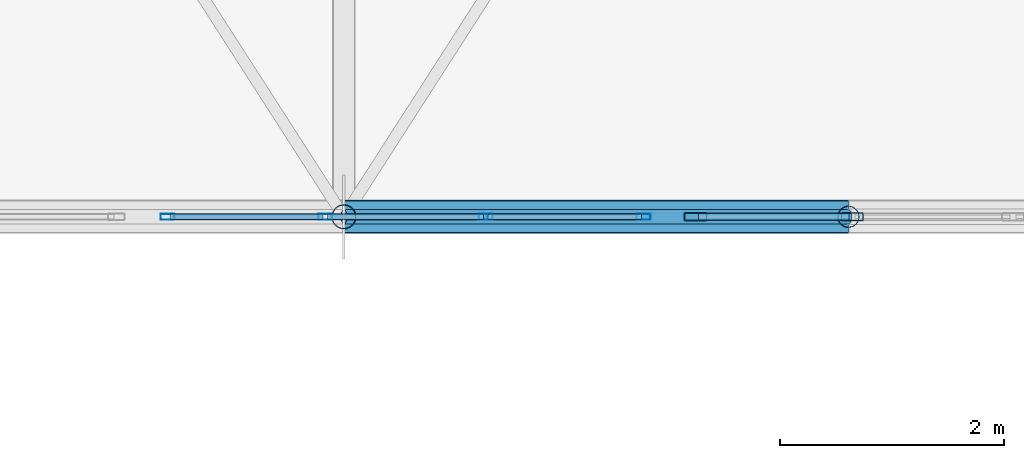
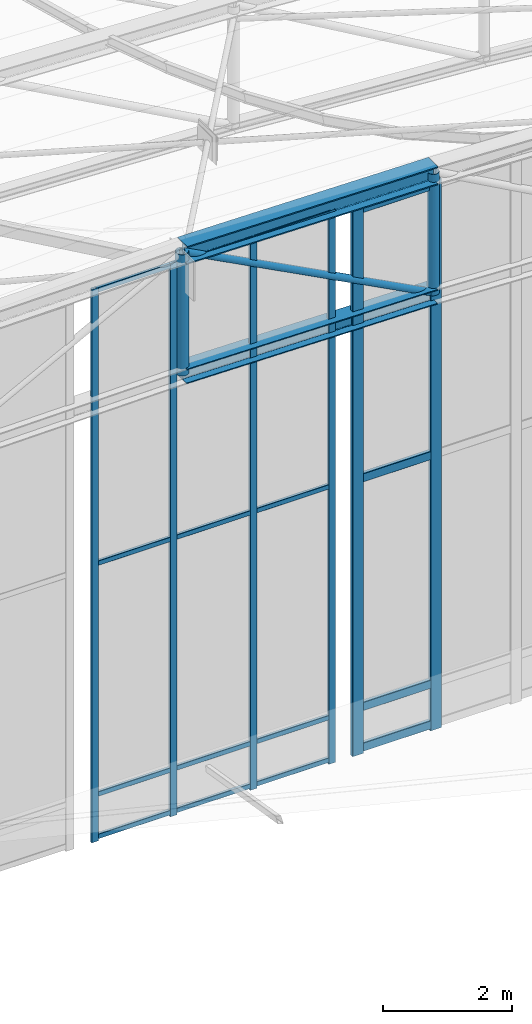
# One storey, part 147 of 262: 27 members, 2 elements without a shape of their own.
"""IFC4 building model written with IfcOpenShell, lengths in metres."""

from ifc_helpers import new_model, si_unit, derived_unit, direction, frame, origin, origin_2d, place, context, subcontext, project, spatial, hollow_rectangle, hollow_circle, i_section, extrude, material, layer, layer_set, material_profile, profile_set, type_object, element, aggregate, save


model = new_model("IFC4")

# Units and contexts
model_context = context("Model", 3, precision=1e-05, world=origin(), true_north=direction((0.0, 1.0)))
body_context = subcontext(model_context, "Body", "Model", "MODEL_VIEW")
ifc_project = project(units=[si_unit("LENGTHUNIT", "METRE"), si_unit("AREAUNIT", "SQUARE_METRE"), si_unit("VOLUMEUNIT", "CUBIC_METRE"), si_unit("PLANEANGLEUNIT", "RADIAN"), si_unit("MASSUNIT", "GRAM", prefix="KILO"), derived_unit("THERMALTRANSMITTANCEUNIT", [(si_unit("POWERUNIT", "WATT"), 1), (si_unit("LENGTHUNIT", "METRE"), -2), (si_unit("THERMODYNAMICTEMPERATUREUNIT", "KELVIN"), -1)])], contexts=[model_context])

# Site, building, storey
site_placement = place(None, origin())
site = spatial("IfcSite", under=ifc_project, at=site_placement, CompositionType="ELEMENT")
building_placement = place(site_placement, origin())
building = spatial("IfcBuilding", under=site, at=building_placement, Name="Almenara Railside Exhibition Hall", CompositionType="ELEMENT")
storey_placement = place(building_placement, frame((0.0, 0.0, 21.699951171875)))
storey = spatial("IfcBuildingStorey", under=building, at=storey_placement, Name="RF", CompositionType="ELEMENT", Elevation=21.699951171875)

# Members
ifc_material_1 = material(Name="Structural steel S355JR", Category="steel")
ifc_material_profile_1 = material_profile(ifc_material_1, i_section(OverallWidth=0.280029296875, OverallDepth=0.280029296875, WebThickness=0.010498046875, FlangeThickness=0.01806640625, FilletRadius=0.02392578125, at=origin_2d()), Name="HEB 280")
ifc_profile_set_1 = profile_set([ifc_material_profile_1], Name="Structural steel S355JR")
member_type_1 = type_object("IfcMemberType", Name="Arched Gable Bottom Chord HEB 280 S355JR", PredefinedType="CHORD", material=ifc_profile_set_1)
member_1_placement = place(storey_placement, frame((165.0, 34.0, 1.60009765625), z_axis=(0.999907293085, 0.0, -0.01361635908), x_axis=(0.0, 1.0, 0.0)))
element("IfcMember", 1, at=member_1_placement, inside=storey, type_object=member_type_1, Name="MEM-BC-V2-00-06", PredefinedType="CHORD", context=body_context, shape_type="SweptSolid", body=[
    extrude(i_section(OverallWidth=0.280029296875, OverallDepth=0.280029296875, WebThickness=0.010498046875, FlangeThickness=0.01806640625, FilletRadius=0.02392578125, at=origin_2d()), origin(), (0.0, 0.0, 1.0), 4.50048828125),
])
ifc_material_profile_2 = material_profile(ifc_material_1, i_section(OverallWidth=0.300048828125, OverallDepth=0.340087890625, WebThickness=0.011962890625, FlangeThickness=0.021484375, FilletRadius=0.027099609375, at=origin_2d()), Name="HEB 340")
ifc_profile_set_2 = profile_set([ifc_material_profile_2], Name="Structural steel S355JR")
member_type_2 = type_object("IfcMemberType", Name="Arched Gable Top Chord HEB 340 S355JR", PredefinedType="CHORD", material=ifc_profile_set_2)
member_2_placement = place(storey_placement, frame((165.0, 34.0, 3.900146484375), z_axis=(0.999907293085, 0.0, -0.01361635908), x_axis=(0.0, 1.0, 0.0)))
element("IfcMember", 2, at=member_2_placement, inside=storey, type_object=member_type_2, Name="MEM-TC-V2-00-06", PredefinedType="CHORD", context=body_context, shape_type="SweptSolid", body=[
    extrude(i_section(OverallWidth=0.300048828125, OverallDepth=0.340087890625, WebThickness=0.011962890625, FlangeThickness=0.021484375, FilletRadius=0.027099609375, at=origin_2d()), origin(), (0.0, 0.0, 1.0), 4.50048828125),
])

# Curtain wall, members
ifc_material_2 = material(Name="Bronze-anodised aluminium and low-E double glazing", Category="aluminium")
ifc_layer = layer(ifc_material_2, 0.179931640625, Name="Bronze-anodised aluminium and low-E double glazing")
ifc_layer_set = layer_set([ifc_layer], Name="Bronze-anodised aluminium and low-E double glazing")
curtain_wall_type = type_object("IfcCurtainWallType", Name="Scroll Gable Tall Curtain Wall 3800x5400", PredefinedType="NOTDEFINED", material=ifc_layer_set)
curtain_wall_1_placement = place(storey_placement, origin())
curtain_wall_1 = element("IfcCurtainWall", 3, at=curtain_wall_1_placement, inside=storey, type_object=curtain_wall_type, Name="Curtain wall CW-G1-219", PredefinedType="NOTDEFINED")
ifc_material_3 = material(Name="Bronze-anodised aluminium", Category="aluminium")
ifc_material_profile_3 = material_profile(ifc_material_3, hollow_rectangle(XDim=0.054931640625, YDim=0.125, WallThickness=0.0029296875, InnerFilletRadius=0.0029296875, OuterFilletRadius=0.006103515625, at=origin_2d()), Name="ALU-MUL 55x125x3")
ifc_profile_set_3 = profile_set([ifc_material_profile_3], Name="Bronze-anodised aluminium")
member_type_3 = type_object("IfcMemberType", Name="Curtain Wall Mullion 55x125x3", PredefinedType="MULLION", material=ifc_profile_set_3)
member_3_placement = place(storey_placement, frame((163.427490234375, 34.0, -6.73486328125), z_axis=(0.0, 0.0, 1.0), x_axis=(0.0, 1.0, 0.0)))
member_3 = element("IfcMember", 4, at=member_3_placement, type_object=member_type_3, Name="CW-G1-219 mullion 1", PredefinedType="MULLION", context=body_context, shape_type="SweptSolid", body=[
    extrude(hollow_rectangle(XDim=0.054931640625, YDim=0.125, WallThickness=0.0029296875, InnerFilletRadius=0.0029296875, OuterFilletRadius=0.006103515625, at=origin_2d()), origin(), (0.0, 0.0, 1.0), 10.48486328125),
])
member_4_placement = place(storey_placement, frame((164.833251953125, 34.0, -6.73486328125), z_axis=(0.0, 0.0, 1.0), x_axis=(0.0, 1.0, 0.0)))
member_4 = element("IfcMember", 5, at=member_4_placement, type_object=member_type_3, Name="CW-G1-219 mullion 2", PredefinedType="MULLION", context=body_context, shape_type="SweptSolid", body=[
    extrude(hollow_rectangle(XDim=0.054931640625, YDim=0.125, WallThickness=0.0029296875, InnerFilletRadius=0.0029296875, OuterFilletRadius=0.006103515625, at=origin_2d()), origin(), (0.0, 0.0, 1.0), 10.48486328125),
])
member_5_placement = place(storey_placement, frame((166.2666015625, 34.0, -6.73486328125), z_axis=(0.0, 0.0, 1.0), x_axis=(0.0, 1.0, 0.0)))
member_5 = element("IfcMember", 6, at=member_5_placement, type_object=member_type_3, Name="CW-G1-219 mullion 3", PredefinedType="MULLION", context=body_context, shape_type="SweptSolid", body=[
    extrude(hollow_rectangle(XDim=0.054931640625, YDim=0.125, WallThickness=0.0029296875, InnerFilletRadius=0.0029296875, OuterFilletRadius=0.006103515625, at=origin_2d()), origin(), (0.0, 0.0, 1.0), 10.48486328125),
])
member_6_placement = place(storey_placement, frame((167.672607421875, 34.0, -6.73486328125), z_axis=(0.0, 0.0, 1.0), x_axis=(0.0, 1.0, 0.0)))
member_6 = element("IfcMember", 7, at=member_6_placement, type_object=member_type_3, Name="CW-G1-219 mullion 4", PredefinedType="MULLION", context=body_context, shape_type="SweptSolid", body=[
    extrude(hollow_rectangle(XDim=0.054931640625, YDim=0.125, WallThickness=0.0029296875, InnerFilletRadius=0.0029296875, OuterFilletRadius=0.006103515625, at=origin_2d()), origin(), (0.0, 0.0, 1.0), 10.48486328125),
])

curtain_wall_2_placement = place(storey_placement, origin())
curtain_wall_2 = element("IfcCurtainWall", 8, at=curtain_wall_2_placement, inside=storey, type_object=curtain_wall_type, Name="Curtain wall CW-G1-220", PredefinedType="NOTDEFINED")
ifc_material_profile_4 = material_profile(ifc_material_3, hollow_rectangle(XDim=0.070068359375, YDim=0.199951171875, WallThickness=0.00439453125, InnerFilletRadius=0.00439453125, OuterFilletRadius=0.009033203125, at=origin_2d()), Name="ALU-MUL 70x200x4.5")
ifc_profile_set_4 = profile_set([ifc_material_profile_4], Name="Bronze-anodised aluminium")
member_type_4 = type_object("IfcMemberType", Name="Curtain Wall Mullion 70x200x4.5", PredefinedType="MULLION", material=ifc_profile_set_4)
member_7_placement = place(storey_placement, frame((168.135009765625, 34.0, -6.73486328125), z_axis=(0.0, 0.0, 1.0), x_axis=(0.0, 1.0, 0.0)))
member_7 = element("IfcMember", 9, at=member_7_placement, type_object=member_type_4, Name="CW-G1-220 mullion 1", PredefinedType="MULLION", context=body_context, shape_type="SweptSolid", body=[
    extrude(hollow_rectangle(XDim=0.070068359375, YDim=0.199951171875, WallThickness=0.00439453125, InnerFilletRadius=0.00439453125, OuterFilletRadius=0.009033203125, at=origin_2d()), origin(), (0.0, 0.0, 1.0), 10.405029296875),
])
member_8_placement = place(storey_placement, frame((169.533447265625, 34.0, -6.73486328125), z_axis=(0.0, 0.0, 1.0), x_axis=(0.0, 1.0, 0.0)))
member_8 = element("IfcMember", 10, at=member_8_placement, type_object=member_type_4, Name="CW-G1-220 mullion 2", PredefinedType="MULLION", context=body_context, shape_type="SweptSolid", body=[
    extrude(hollow_rectangle(XDim=0.070068359375, YDim=0.199951171875, WallThickness=0.00439453125, InnerFilletRadius=0.00439453125, OuterFilletRadius=0.009033203125, at=origin_2d()), origin(), (0.0, 0.0, 1.0), 10.405029296875),
])

# Member
ifc_material_profile_5 = material_profile(ifc_material_3, hollow_rectangle(XDim=0.054931640625, YDim=0.090087890625, WallThickness=0.0029296875, InnerFilletRadius=0.0029296875, OuterFilletRadius=0.006103515625, at=origin_2d()), Name="ALU-TRN 55x90x3")
ifc_profile_set_5 = profile_set([ifc_material_profile_5], Name="Bronze-anodised aluminium")
member_type_5 = type_object("IfcMemberType", Name="Curtain Wall Transom 55x90x3", PredefinedType="USERDEFINED", material=ifc_profile_set_5)
member_9_placement = place(storey_placement, frame((163.447021484375, 34.0, -6.655029296875), z_axis=(1.0, 0.0, 0.0), x_axis=(0.0, 1.0, 0.0)))
member_9 = element("IfcMember", 11, at=member_9_placement, type_object=member_type_5, Name="CW-G1-219 transom 1.1", ObjectType="TRANSOM", PredefinedType="USERDEFINED", context=body_context, shape_type="SweptSolid", body=[
    extrude(hollow_rectangle(XDim=0.054931640625, YDim=0.090087890625, WallThickness=0.0029296875, InnerFilletRadius=0.0029296875, OuterFilletRadius=0.006103515625, at=origin_2d()), origin(), (0.0, 0.0, 1.0), 1.36669921875),
])

member_10_placement = place(storey_placement, frame((163.447021484375, 34.0, -5.849853515625), z_axis=(1.0, 0.0, 0.0), x_axis=(0.0, 1.0, 0.0)))
member_10 = element("IfcMember", 12, at=member_10_placement, type_object=member_type_5, Name="CW-G1-219 transom 1.2", ObjectType="TRANSOM", PredefinedType="USERDEFINED", context=body_context, shape_type="SweptSolid", body=[
    extrude(hollow_rectangle(XDim=0.054931640625, YDim=0.090087890625, WallThickness=0.0029296875, InnerFilletRadius=0.0029296875, OuterFilletRadius=0.006103515625, at=origin_2d()), origin(), (0.0, 0.0, 1.0), 1.36669921875),
])

member_11_placement = place(storey_placement, frame((163.447021484375, 34.0, -1.474853515625), z_axis=(1.0, 0.0, 0.0), x_axis=(0.0, 1.0, 0.0)))
member_11 = element("IfcMember", 13, at=member_11_placement, type_object=member_type_5, Name="CW-G1-219 transom 1.3", ObjectType="TRANSOM", PredefinedType="USERDEFINED", context=body_context, shape_type="SweptSolid", body=[
    extrude(hollow_rectangle(XDim=0.054931640625, YDim=0.090087890625, WallThickness=0.0029296875, InnerFilletRadius=0.0029296875, OuterFilletRadius=0.006103515625, at=origin_2d()), origin(), (0.0, 0.0, 1.0), 1.36669921875),
])

member_12_placement = place(storey_placement, frame((163.447021484375, 34.0, 3.705078125), z_axis=(1.0, 0.0, 0.0), x_axis=(0.0, 1.0, 0.0)))
member_12 = element("IfcMember", 14, at=member_12_placement, type_object=member_type_5, Name="CW-G1-219 transom 1.4", ObjectType="TRANSOM", PredefinedType="USERDEFINED", context=body_context, shape_type="SweptSolid", body=[
    extrude(hollow_rectangle(XDim=0.054931640625, YDim=0.090087890625, WallThickness=0.0029296875, InnerFilletRadius=0.0029296875, OuterFilletRadius=0.006103515625, at=origin_2d()), origin(), (0.0, 0.0, 1.0), 1.36669921875),
])

member_13_placement = place(storey_placement, frame((164.852783203125, 34.0, -6.655029296875), z_axis=(1.0, 0.0, 0.0), x_axis=(0.0, 1.0, 0.0)))
member_13 = element("IfcMember", 15, at=member_13_placement, type_object=member_type_5, Name="CW-G1-219 transom 2.1", ObjectType="TRANSOM", PredefinedType="USERDEFINED", context=body_context, shape_type="SweptSolid", body=[
    extrude(hollow_rectangle(XDim=0.054931640625, YDim=0.090087890625, WallThickness=0.0029296875, InnerFilletRadius=0.0029296875, OuterFilletRadius=0.006103515625, at=origin_2d()), origin(), (0.0, 0.0, 1.0), 1.394287109375),
])

member_14_placement = place(storey_placement, frame((164.852783203125, 34.0, -5.849853515625), z_axis=(1.0, 0.0, 0.0), x_axis=(0.0, 1.0, 0.0)))
member_14 = element("IfcMember", 16, at=member_14_placement, type_object=member_type_5, Name="CW-G1-219 transom 2.2", ObjectType="TRANSOM", PredefinedType="USERDEFINED", context=body_context, shape_type="SweptSolid", body=[
    extrude(hollow_rectangle(XDim=0.054931640625, YDim=0.090087890625, WallThickness=0.0029296875, InnerFilletRadius=0.0029296875, OuterFilletRadius=0.006103515625, at=origin_2d()), origin(), (0.0, 0.0, 1.0), 1.394287109375),
])

member_15_placement = place(storey_placement, frame((164.852783203125, 34.0, -1.474853515625), z_axis=(1.0, 0.0, 0.0), x_axis=(0.0, 1.0, 0.0)))
member_15 = element("IfcMember", 17, at=member_15_placement, type_object=member_type_5, Name="CW-G1-219 transom 2.3", ObjectType="TRANSOM", PredefinedType="USERDEFINED", context=body_context, shape_type="SweptSolid", body=[
    extrude(hollow_rectangle(XDim=0.054931640625, YDim=0.090087890625, WallThickness=0.0029296875, InnerFilletRadius=0.0029296875, OuterFilletRadius=0.006103515625, at=origin_2d()), origin(), (0.0, 0.0, 1.0), 1.394287109375),
])

member_16_placement = place(storey_placement, frame((164.852783203125, 34.0, 3.705078125), z_axis=(1.0, 0.0, 0.0), x_axis=(0.0, 1.0, 0.0)))
member_16 = element("IfcMember", 18, at=member_16_placement, type_object=member_type_5, Name="CW-G1-219 transom 2.4", ObjectType="TRANSOM", PredefinedType="USERDEFINED", context=body_context, shape_type="SweptSolid", body=[
    extrude(hollow_rectangle(XDim=0.054931640625, YDim=0.090087890625, WallThickness=0.0029296875, InnerFilletRadius=0.0029296875, OuterFilletRadius=0.006103515625, at=origin_2d()), origin(), (0.0, 0.0, 1.0), 1.394287109375),
])

member_17_placement = place(storey_placement, frame((166.2861328125, 34.0, -6.655029296875), z_axis=(1.0, 0.0, 0.0), x_axis=(0.0, 1.0, 0.0)))
member_17 = element("IfcMember", 19, at=member_17_placement, type_object=member_type_5, Name="CW-G1-219 transom 3.1", ObjectType="TRANSOM", PredefinedType="USERDEFINED", context=body_context, shape_type="SweptSolid", body=[
    extrude(hollow_rectangle(XDim=0.054931640625, YDim=0.090087890625, WallThickness=0.0029296875, InnerFilletRadius=0.0029296875, OuterFilletRadius=0.006103515625, at=origin_2d()), origin(), (0.0, 0.0, 1.0), 1.366943359375),
])

member_18_placement = place(storey_placement, frame((166.2861328125, 34.0, -5.849853515625), z_axis=(1.0, 0.0, 0.0), x_axis=(0.0, 1.0, 0.0)))
member_18 = element("IfcMember", 20, at=member_18_placement, type_object=member_type_5, Name="CW-G1-219 transom 3.2", ObjectType="TRANSOM", PredefinedType="USERDEFINED", context=body_context, shape_type="SweptSolid", body=[
    extrude(hollow_rectangle(XDim=0.054931640625, YDim=0.090087890625, WallThickness=0.0029296875, InnerFilletRadius=0.0029296875, OuterFilletRadius=0.006103515625, at=origin_2d()), origin(), (0.0, 0.0, 1.0), 1.366943359375),
])

member_19_placement = place(storey_placement, frame((166.2861328125, 34.0, -1.474853515625), z_axis=(1.0, 0.0, 0.0), x_axis=(0.0, 1.0, 0.0)))
member_19 = element("IfcMember", 21, at=member_19_placement, type_object=member_type_5, Name="CW-G1-219 transom 3.3", ObjectType="TRANSOM", PredefinedType="USERDEFINED", context=body_context, shape_type="SweptSolid", body=[
    extrude(hollow_rectangle(XDim=0.054931640625, YDim=0.090087890625, WallThickness=0.0029296875, InnerFilletRadius=0.0029296875, OuterFilletRadius=0.006103515625, at=origin_2d()), origin(), (0.0, 0.0, 1.0), 1.366943359375),
])

member_20_placement = place(storey_placement, frame((166.2861328125, 34.0, 3.705078125), z_axis=(1.0, 0.0, 0.0), x_axis=(0.0, 1.0, 0.0)))
member_20 = element("IfcMember", 22, at=member_20_placement, type_object=member_type_5, Name="CW-G1-219 transom 3.4", ObjectType="TRANSOM", PredefinedType="USERDEFINED", context=body_context, shape_type="SweptSolid", body=[
    extrude(hollow_rectangle(XDim=0.054931640625, YDim=0.090087890625, WallThickness=0.0029296875, InnerFilletRadius=0.0029296875, OuterFilletRadius=0.006103515625, at=origin_2d()), origin(), (0.0, 0.0, 1.0), 1.366943359375),
])

aggregate(curtain_wall_1, [member_3, member_4, member_5, member_6, member_9, member_10, member_11, member_12, member_13, member_14, member_15, member_16, member_17, member_18, member_19, member_20])

ifc_material_profile_6 = material_profile(ifc_material_3, hollow_rectangle(XDim=0.070068359375, YDim=0.159912109375, WallThickness=0.00390625, InnerFilletRadius=0.00390625, OuterFilletRadius=0.008056640625, at=origin_2d()), Name="ALU-TRN 70x160x4")
ifc_profile_set_6 = profile_set([ifc_material_profile_6], Name="Bronze-anodised aluminium")
member_type_6 = type_object("IfcMemberType", Name="Curtain Wall Transom 70x160x4", PredefinedType="USERDEFINED", material=ifc_profile_set_6)
member_21_placement = place(storey_placement, frame((168.162109375, 34.0, -6.619873046875), z_axis=(1.0, 0.0, 0.0), x_axis=(0.0, 1.0, 0.0)))
member_21 = element("IfcMember", 23, at=member_21_placement, type_object=member_type_6, Name="CW-G1-220 transom 1.1", ObjectType="TRANSOM", PredefinedType="USERDEFINED", context=body_context, shape_type="SweptSolid", body=[
    extrude(hollow_rectangle(XDim=0.070068359375, YDim=0.159912109375, WallThickness=0.00390625, InnerFilletRadius=0.00390625, OuterFilletRadius=0.008056640625, at=origin_2d()), origin(), (0.0, 0.0, 1.0), 1.34423828125),
])

member_22_placement = place(storey_placement, frame((168.162109375, 34.0, -5.849853515625), z_axis=(1.0, 0.0, 0.0), x_axis=(0.0, 1.0, 0.0)))
member_22 = element("IfcMember", 24, at=member_22_placement, type_object=member_type_6, Name="CW-G1-220 transom 1.2", ObjectType="TRANSOM", PredefinedType="USERDEFINED", context=body_context, shape_type="SweptSolid", body=[
    extrude(hollow_rectangle(XDim=0.070068359375, YDim=0.159912109375, WallThickness=0.00390625, InnerFilletRadius=0.00390625, OuterFilletRadius=0.008056640625, at=origin_2d()), origin(), (0.0, 0.0, 1.0), 1.34423828125),
])

member_23_placement = place(storey_placement, frame((168.162109375, 34.0, -1.514892578125), z_axis=(1.0, 0.0, 0.0), x_axis=(0.0, 1.0, 0.0)))
member_23 = element("IfcMember", 25, at=member_23_placement, type_object=member_type_6, Name="CW-G1-220 transom 1.3", ObjectType="TRANSOM", PredefinedType="USERDEFINED", context=body_context, shape_type="SweptSolid", body=[
    extrude(hollow_rectangle(XDim=0.070068359375, YDim=0.159912109375, WallThickness=0.00390625, InnerFilletRadius=0.00390625, OuterFilletRadius=0.008056640625, at=origin_2d()), origin(), (0.0, 0.0, 1.0), 1.34423828125),
])

member_24_placement = place(storey_placement, frame((168.162109375, 34.0, 3.590087890625), z_axis=(1.0, 0.0, 0.0), x_axis=(0.0, 1.0, 0.0)))
member_24 = element("IfcMember", 26, at=member_24_placement, type_object=member_type_6, Name="CW-G1-220 transom 1.4", ObjectType="TRANSOM", PredefinedType="USERDEFINED", context=body_context, shape_type="SweptSolid", body=[
    extrude(hollow_rectangle(XDim=0.070068359375, YDim=0.159912109375, WallThickness=0.00390625, InnerFilletRadius=0.00390625, OuterFilletRadius=0.008056640625, at=origin_2d()), origin(), (0.0, 0.0, 1.0), 1.34423828125),
])

aggregate(curtain_wall_2, [member_7, member_8, member_21, member_22, member_23, member_24])

# Members
ifc_material_profile_7 = material_profile(ifc_material_1, hollow_circle(Radius=0.0634765625, WallThickness=0.00439453125, at=origin_2d()), Name="CHS 127.0x4.5")
ifc_profile_set_7 = profile_set([ifc_material_profile_7], Name="Structural steel S355JR")
member_type_7 = type_object("IfcMemberType", Name="Truss Crown Diagonal CHS 127.0x4.5 S355JR", PredefinedType="BRACE", material=ifc_profile_set_7)
member_25_placement = place(storey_placement, frame((165.0, 34.0, 3.900146484375), z_axis=(0.885492789601, 0.0, -0.46465311746), x_axis=(0.0, 1.0, 0.0)))
element("IfcMember", 27, at=member_25_placement, inside=storey, type_object=member_type_7, Name="MEM-TD-V2-00-06", PredefinedType="BRACE", context=body_context, shape_type="SweptSolid", body=[
    extrude(hollow_circle(Radius=0.0634765625, WallThickness=0.00439453125, at=origin_2d()), origin(), (0.0, 0.0, 1.0), 5.08203125),
])
ifc_material_profile_8 = material_profile(ifc_material_1, hollow_circle(Radius=0.109619140625, WallThickness=0.008056640625, at=origin_2d()), Name="CHS 219.1x8")
ifc_profile_set_8 = profile_set([ifc_material_profile_8], Name="Structural steel S355JR")
member_type_8 = type_object("IfcMemberType", Name="Truss Primary Vertical Strut CHS 219.1x8 S355JR", PredefinedType="BRACE", material=ifc_profile_set_8)
member_26_placement = place(storey_placement, frame((165.0, 34.0, 1.60009765625), z_axis=(0.0, 0.0, 1.0), x_axis=(1.0, 0.0, 0.0)))
element("IfcMember", 28, at=member_26_placement, inside=storey, type_object=member_type_8, Name="MEM-TV-V2-00-06", PredefinedType="BRACE", context=body_context, shape_type="SweptSolid", body=[
    extrude(hollow_circle(Radius=0.109619140625, WallThickness=0.008056640625, at=origin_2d()), origin(), (0.0, 0.0, 1.0), 2.300048828125),
])
ifc_material_profile_9 = material_profile(ifc_material_1, hollow_circle(Radius=0.096923828125, WallThickness=0.00634765625, at=origin_2d()), Name="CHS 193.7x6.3")
ifc_profile_set_9 = profile_set([ifc_material_profile_9], Name="Structural steel S355JR")
member_type_9 = type_object("IfcMemberType", Name="Truss Standard Vertical Strut CHS 193.7x6.3 S355JR", PredefinedType="BRACE", material=ifc_profile_set_9)
member_27_placement = place(storey_placement, frame((169.5, 34.0, 1.538818359375), z_axis=(0.0, 0.0, 1.0), x_axis=(1.0, 0.0, 0.0)))
element("IfcMember", 29, at=member_27_placement, inside=storey, type_object=member_type_9, Name="MEM-TV-V2-00-07", PredefinedType="BRACE", context=body_context, shape_type="SweptSolid", body=[
    extrude(hollow_circle(Radius=0.096923828125, WallThickness=0.00634765625, at=origin_2d()), origin(), (0.0, 0.0, 1.0), 2.300048828125),
])

save(model, "model.ifc")
